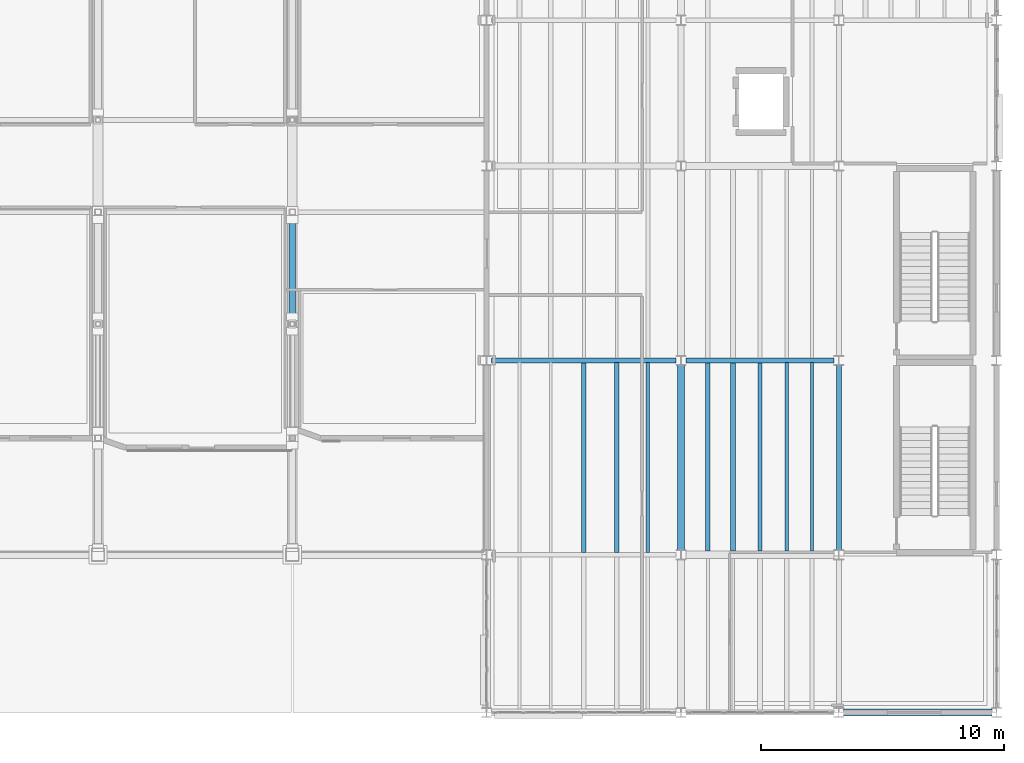
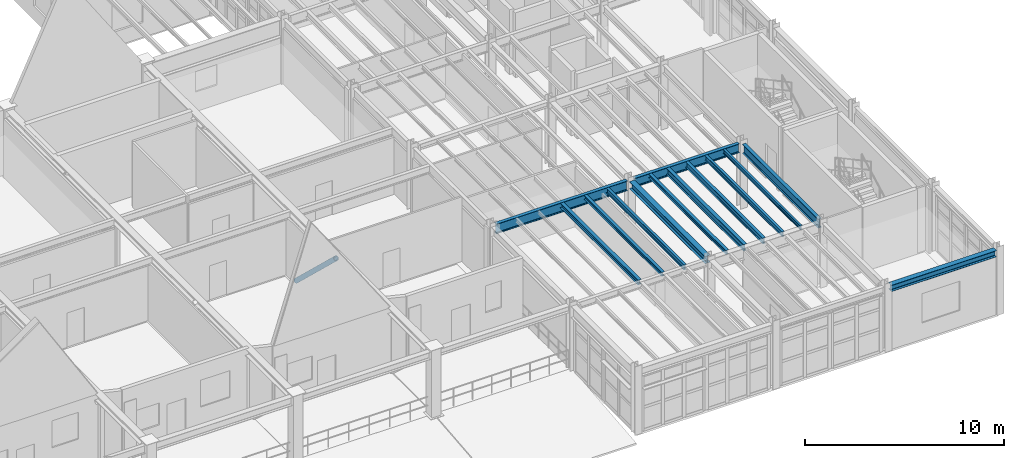
# One storey, part 36 of 78: 13 beams, 1 member.
"""IFC4 building model written with IfcOpenShell, lengths in metres."""

from ifc_helpers import new_model, si_unit, direction, frame, origin, origin_2d, place, context, subcontext, project, spatial, hollow_circle, i_section, extrude, material, material_profile, profile_set, type_object, element, save


model = new_model("IFC4")

# Units and contexts
model_context = context("Model", 3, precision=1e-05, world=origin(), true_north=direction((0.0, 1.0)))
body_context = subcontext(model_context, "Body", "Model", "MODEL_VIEW")
ifc_project = project(units=[si_unit("LENGTHUNIT", "METRE"), si_unit("AREAUNIT", "SQUARE_METRE"), si_unit("VOLUMEUNIT", "CUBIC_METRE"), si_unit("PLANEANGLEUNIT", "RADIAN"), si_unit("MASSUNIT", "GRAM", prefix="KILO"), si_unit("THERMODYNAMICTEMPERATUREUNIT", "KELVIN"), si_unit("POWERUNIT", "WATT")], contexts=[model_context])

# Site, building, storey
site_placement = place(None, origin())
site = spatial("IfcSite", under=ifc_project, at=site_placement, CompositionType="ELEMENT")
building_placement = place(site_placement, origin())
building = spatial("IfcBuilding", under=site, at=building_placement, Name="Zhenchuan Central Fire Station", CompositionType="ELEMENT")
storey_placement = place(building_placement, frame((0.0, 0.0, 5.85009765625)))
storey = spatial("IfcBuildingStorey", under=building, at=storey_placement, Name="L02", CompositionType="ELEMENT", Elevation=5.85009765625)

# Beams
ifc_material = material(Name="Steel Q355B", Category="steel")
ifc_material_profile_1 = material_profile(ifc_material, i_section(OverallWidth=0.300048828125, OverallDepth=0.389892578125, WebThickness=0.010009765625, FlangeThickness=0.01611328125, FilletRadius=0.02001953125, at=origin_2d()), Name="HM 390x300")
ifc_profile_set_1 = profile_set([ifc_material_profile_1], Name="Steel Q355B")
beam_type_1 = type_object("IfcBeamType", Name="BM-HM390", PredefinedType="BEAM", material=ifc_profile_set_1)
beam_1_placement = place(storey_placement, frame((154.699951171875, 0.0, 3.764892578125), z_axis=(1.0, 0.0, 0.0), x_axis=(0.0, 1.0, 0.0)))
element("IfcBeam", 1, at=beam_1_placement, inside=storey, type_object=beam_type_1, Name="L03 Girder EW 0190", PredefinedType="BEAM", context=body_context, shape_type="SweptSolid", body=[
    extrude(i_section(OverallWidth=0.300048828125, OverallDepth=0.389892578125, WebThickness=0.010009765625, FlangeThickness=0.01611328125, FilletRadius=0.02001953125, at=origin_2d()), origin(), (0.0, 0.0, 1.0), 6.10009765625),
])
ifc_material_profile_2 = material_profile(ifc_material, i_section(OverallWidth=0.300048828125, OverallDepth=0.43994140625, WebThickness=0.010986328125, FlangeThickness=0.01806640625, FilletRadius=0.02197265625, at=origin_2d()), Name="HM 440x300")
ifc_profile_set_2 = profile_set([ifc_material_profile_2], Name="Steel Q355B")
beam_type_2 = type_object("IfcBeamType", Name="BM-HM440-INT", PredefinedType="BEAM", material=ifc_profile_set_2)
beam_2_placement = place(storey_placement, frame((148.0, 6.699951171875, 3.739990234375), z_axis=(0.0, 1.0, 0.0), x_axis=(-1.0, 0.0, 0.0)))
element("IfcBeam", 2, at=beam_2_placement, inside=storey, type_object=beam_type_2, Name="L03 Girder NS 0326", PredefinedType="BEAM", context=body_context, shape_type="SweptSolid", body=[
    extrude(i_section(OverallWidth=0.300048828125, OverallDepth=0.43994140625, WebThickness=0.010986328125, FlangeThickness=0.01806640625, FilletRadius=0.02197265625, at=origin_2d()), origin(), (0.0, 0.0, 1.0), 7.60009765625),
])
ifc_material_profile_3 = material_profile(ifc_material, i_section(OverallWidth=0.199951171875, OverallDepth=0.550048828125, WebThickness=0.010009765625, FlangeThickness=0.01611328125, FilletRadius=0.02001953125, at=origin_2d()), Name="HN 550x200")
ifc_profile_set_3 = profile_set([ifc_material_profile_3], Name="Steel Q355B")
beam_type_3 = type_object("IfcBeamType", Name="BM-HN550-INT", PredefinedType="BEAM", material=ifc_profile_set_3)
beam_3_placement = place(storey_placement, frame((148.199951171875, 14.5, 3.684814453125), z_axis=(1.0, 0.0, 0.0), x_axis=(0.0, 1.0, 0.0)))
element("IfcBeam", 3, at=beam_3_placement, inside=storey, type_object=beam_type_3, Name="L03 Girder EW 0213", PredefinedType="BEAM", context=body_context, shape_type="SweptSolid", body=[
    extrude(i_section(OverallWidth=0.199951171875, OverallDepth=0.550048828125, WebThickness=0.010009765625, FlangeThickness=0.01611328125, FilletRadius=0.02001953125, at=origin_2d()), origin(), (0.0, 0.0, 1.0), 6.10009765625),
])
beam_4_placement = place(storey_placement, frame((154.5, 6.699951171875, 3.684814453125), z_axis=(0.0, 1.0, 0.0), x_axis=(-1.0, 0.0, 0.0)))
element("IfcBeam", 4, at=beam_4_placement, inside=storey, type_object=beam_type_3, Name="L03 Girder NS 0333", PredefinedType="BEAM", context=body_context, shape_type="SweptSolid", body=[
    extrude(i_section(OverallWidth=0.199951171875, OverallDepth=0.550048828125, WebThickness=0.010009765625, FlangeThickness=0.01611328125, FilletRadius=0.02001953125, at=origin_2d()), origin(), (0.0, 0.0, 1.0), 7.60009765625),
])
ifc_material_profile_4 = material_profile(ifc_material, i_section(OverallWidth=0.199951171875, OverallDepth=0.60009765625, WebThickness=0.010986328125, FlangeThickness=0.01708984375, FilletRadius=0.02197265625, at=origin_2d()), Name="HN 600x200")
ifc_profile_set_4 = profile_set([ifc_material_profile_4], Name="Steel Q355B")
beam_type_4 = type_object("IfcBeamType", Name="BM-HN600-INT", PredefinedType="BEAM", material=ifc_profile_set_4)
beam_5_placement = place(storey_placement, frame((140.199951171875, 14.5, 3.659912109375), z_axis=(1.0, 0.0, 0.0), x_axis=(0.0, 1.0, 0.0)))
element("IfcBeam", 5, at=beam_5_placement, inside=storey, type_object=beam_type_4, Name="L03 Girder EW 0212", PredefinedType="BEAM", context=body_context, shape_type="SweptSolid", body=[
    extrude(i_section(OverallWidth=0.199951171875, OverallDepth=0.60009765625, WebThickness=0.010986328125, FlangeThickness=0.01708984375, FilletRadius=0.02197265625, at=origin_2d()), origin(), (0.0, 0.0, 1.0), 7.60009765625),
])
ifc_material_profile_5 = material_profile(ifc_material, i_section(OverallWidth=0.175048828125, OverallDepth=0.243896484375, WebThickness=0.007080078125, FlangeThickness=0.010986328125, FilletRadius=0.012939453125, at=origin_2d()), Name="HM 244x175")
ifc_profile_set_5 = profile_set([ifc_material_profile_5], Name="Steel Q355B")
beam_type_5 = type_object("IfcBeamType", Name="JS-HM244", PredefinedType="JOIST", material=ifc_profile_set_5)
beam_6_placement = place(storey_placement, frame((145.360107421875, 6.596923828125, 3.837890625), z_axis=(0.0, 1.0, 0.0), x_axis=(-1.0, 0.0, 0.0)))
element("IfcBeam", 6, at=beam_6_placement, inside=storey, type_object=beam_type_5, Name="L03 Secondary Joist 0355", PredefinedType="JOIST", context=body_context, shape_type="SweptSolid", body=[
    extrude(i_section(OverallWidth=0.175048828125, OverallDepth=0.243896484375, WebThickness=0.007080078125, FlangeThickness=0.010986328125, FilletRadius=0.012939453125, at=origin_2d()), origin(), (0.0, 0.0, 1.0), 7.80615234375),
])
beam_7_placement = place(storey_placement, frame((149.10498046875, 6.64697265625, 3.837890625), z_axis=(0.0, 1.0, 0.0), x_axis=(-1.0, 0.0, 0.0)))
element("IfcBeam", 7, at=beam_7_placement, inside=storey, type_object=beam_type_5, Name="L03 Secondary Joist 0357", PredefinedType="JOIST", context=body_context, shape_type="SweptSolid", body=[
    extrude(i_section(OverallWidth=0.175048828125, OverallDepth=0.243896484375, WebThickness=0.007080078125, FlangeThickness=0.010986328125, FilletRadius=0.012939453125, at=origin_2d()), origin(), (0.0, 0.0, 1.0), 7.756103515625),
])
ifc_material_profile_6 = material_profile(ifc_material, i_section(OverallWidth=0.199951171875, OverallDepth=0.2939453125, WebThickness=0.008056640625, FlangeThickness=0.011962890625, FilletRadius=0.01611328125, at=origin_2d()), Name="HM 294x200")
ifc_profile_set_6 = profile_set([ifc_material_profile_6], Name="Steel Q355B")
beam_type_6 = type_object("IfcBeamType", Name="JS-HM294", PredefinedType="JOIST", material=ifc_profile_set_6)
beam_8_placement = place(storey_placement, frame((144.0, 6.596923828125, 3.81298828125), z_axis=(0.0, 1.0, 0.0), x_axis=(-1.0, 0.0, 0.0)))
element("IfcBeam", 8, at=beam_8_placement, inside=storey, type_object=beam_type_6, Name="L03 Secondary Joist 0354", PredefinedType="JOIST", context=body_context, shape_type="SweptSolid", body=[
    extrude(i_section(OverallWidth=0.199951171875, OverallDepth=0.2939453125, WebThickness=0.008056640625, FlangeThickness=0.011962890625, FilletRadius=0.01611328125, at=origin_2d()), origin(), (0.0, 0.0, 1.0), 7.80615234375),
])
ifc_material_profile_7 = material_profile(ifc_material, i_section(OverallWidth=0.125, OverallDepth=0.25, WebThickness=0.006103515625, FlangeThickness=0.009033203125, FilletRadius=0.011962890625, at=origin_2d()), Name="HN 250x125")
ifc_profile_set_7 = profile_set([ifc_material_profile_7], Name="Steel Q355B")
beam_type_7 = type_object("IfcBeamType", Name="JS-HN250", PredefinedType="JOIST", material=ifc_profile_set_7)
beam_9_placement = place(storey_placement, frame((153.39501953125, 6.64697265625, 3.8349609375), z_axis=(0.0, 1.0, 0.0), x_axis=(-1.0, 0.0, 0.0)))
element("IfcBeam", 9, at=beam_9_placement, inside=storey, type_object=beam_type_7, Name="L03 Secondary Joist 0361", PredefinedType="JOIST", context=body_context, shape_type="SweptSolid", body=[
    extrude(i_section(OverallWidth=0.125, OverallDepth=0.25, WebThickness=0.006103515625, FlangeThickness=0.009033203125, FilletRadius=0.011962890625, at=origin_2d()), origin(), (0.0, 0.0, 1.0), 7.756103515625),
])
ifc_material_profile_8 = material_profile(ifc_material, i_section(OverallWidth=0.14990234375, OverallDepth=0.300048828125, WebThickness=0.006591796875, FlangeThickness=0.009033203125, FilletRadius=0.012939453125, at=origin_2d()), Name="HN 300x150")
ifc_profile_set_8 = profile_set([ifc_material_profile_8], Name="Steel Q355B")
beam_type_8 = type_object("IfcBeamType", Name="JS-HN300", PredefinedType="JOIST", material=ifc_profile_set_8)
beam_10_placement = place(storey_placement, frame((146.639892578125, 6.596923828125, 3.809814453125), z_axis=(0.0, 1.0, 0.0), x_axis=(-1.0, 0.0, 0.0)))
element("IfcBeam", 10, at=beam_10_placement, inside=storey, type_object=beam_type_8, Name="L03 Secondary Joist 0356", PredefinedType="JOIST", context=body_context, shape_type="SweptSolid", body=[
    extrude(i_section(OverallWidth=0.14990234375, OverallDepth=0.300048828125, WebThickness=0.006591796875, FlangeThickness=0.009033203125, FilletRadius=0.012939453125, at=origin_2d()), origin(), (0.0, 0.0, 1.0), 7.80615234375),
])
beam_11_placement = place(storey_placement, frame((152.35498046875, 6.64697265625, 3.809814453125), z_axis=(0.0, 1.0, 0.0), x_axis=(-1.0, 0.0, 0.0)))
element("IfcBeam", 11, at=beam_11_placement, inside=storey, type_object=beam_type_8, Name="L03 Secondary Joist 0360", PredefinedType="JOIST", context=body_context, shape_type="SweptSolid", body=[
    extrude(i_section(OverallWidth=0.14990234375, OverallDepth=0.300048828125, WebThickness=0.006591796875, FlangeThickness=0.009033203125, FilletRadius=0.012939453125, at=origin_2d()), origin(), (0.0, 0.0, 1.0), 7.756103515625),
])
ifc_material_profile_9 = material_profile(ifc_material, i_section(OverallWidth=0.175048828125, OverallDepth=0.35009765625, WebThickness=0.007080078125, FlangeThickness=0.010986328125, FilletRadius=0.013916015625, at=origin_2d()), Name="HN 350x175")
ifc_profile_set_9 = profile_set([ifc_material_profile_9], Name="Steel Q355B")
beam_type_9 = type_object("IfcBeamType", Name="JS-HN350", PredefinedType="JOIST", material=ifc_profile_set_9)
beam_12_placement = place(storey_placement, frame((151.25, 6.64697265625, 3.784912109375), z_axis=(0.0, 1.0, 0.0), x_axis=(-1.0, 0.0, 0.0)))
element("IfcBeam", 12, at=beam_12_placement, inside=storey, type_object=beam_type_9, Name="L03 Secondary Joist 0359", PredefinedType="JOIST", context=body_context, shape_type="SweptSolid", body=[
    extrude(i_section(OverallWidth=0.175048828125, OverallDepth=0.35009765625, WebThickness=0.007080078125, FlangeThickness=0.010986328125, FilletRadius=0.013916015625, at=origin_2d()), origin(), (0.0, 0.0, 1.0), 7.756103515625),
])
ifc_material_profile_10 = material_profile(ifc_material, i_section(OverallWidth=0.199951171875, OverallDepth=0.39990234375, WebThickness=0.008056640625, FlangeThickness=0.012939453125, FilletRadius=0.01611328125, at=origin_2d()), Name="HN 400x200")
ifc_profile_set_10 = profile_set([ifc_material_profile_10], Name="Steel Q355B")
beam_type_10 = type_object("IfcBeamType", Name="JS-HN400", PredefinedType="JOIST", material=ifc_profile_set_10)
beam_13_placement = place(storey_placement, frame((150.14501953125, 6.64697265625, 3.760009765625), z_axis=(0.0, 1.0, 0.0), x_axis=(-1.0, 0.0, 0.0)))
element("IfcBeam", 13, at=beam_13_placement, inside=storey, type_object=beam_type_10, Name="L03 Secondary Joist 0358", PredefinedType="JOIST", context=body_context, shape_type="SweptSolid", body=[
    extrude(i_section(OverallWidth=0.199951171875, OverallDepth=0.39990234375, WebThickness=0.008056640625, FlangeThickness=0.012939453125, FilletRadius=0.01611328125, at=origin_2d()), origin(), (0.0, 0.0, 1.0), 7.756103515625),
])

# Member
ifc_material_profile_11 = material_profile(ifc_material, hollow_circle(Radius=0.136474609375, WallThickness=0.011962890625, at=origin_2d()), Name="CHS 273x12")
ifc_profile_set_11 = profile_set([ifc_material_profile_11], Name="Steel Q355B")
member_type = type_object("IfcMemberType", Name="MB-BR-CHS273", PredefinedType="BRACE", material=ifc_profile_set_11)
member_placement = place(storey_placement, frame((132.0, 16.300048828125, 3.599853515625), z_axis=(0.0, 0.724995014376, -0.688754113694), x_axis=(-1.0, 0.0, 0.0)))
element("IfcMember", 14, at=member_placement, inside=storey, type_object=member_type, Name="Transfer Truss TT-10 Web Diagonal 3", PredefinedType="BRACE", context=body_context, shape_type="SweptSolid", body=[
    extrude(hollow_circle(Radius=0.136474609375, WallThickness=0.011962890625, at=origin_2d()), origin(), (0.0, 0.0, 1.0), 5.517333984375),
])

save(model, "model.ifc")
